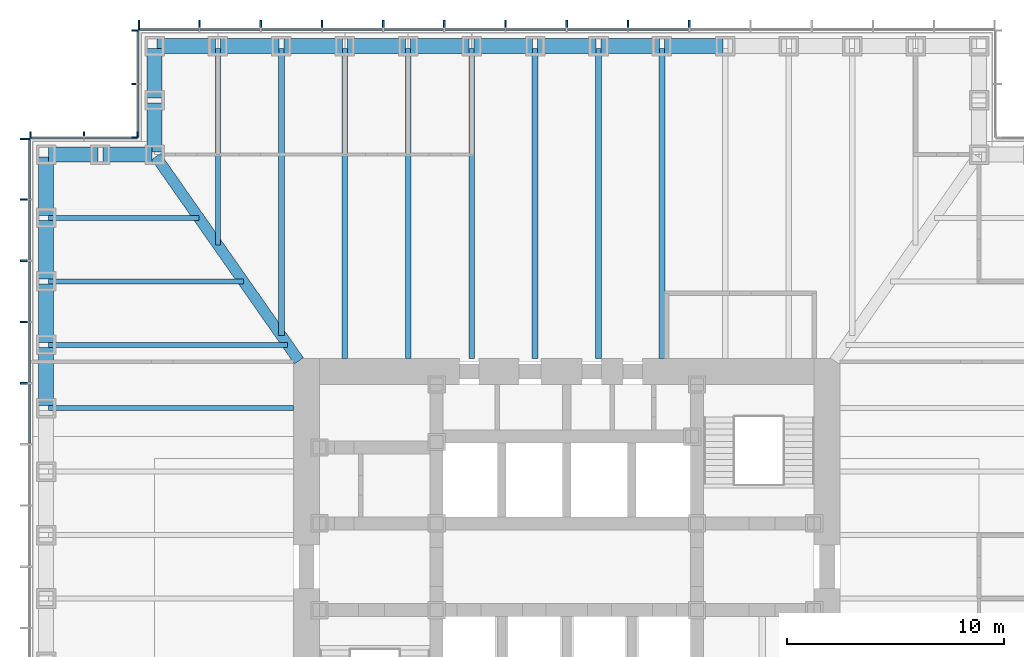
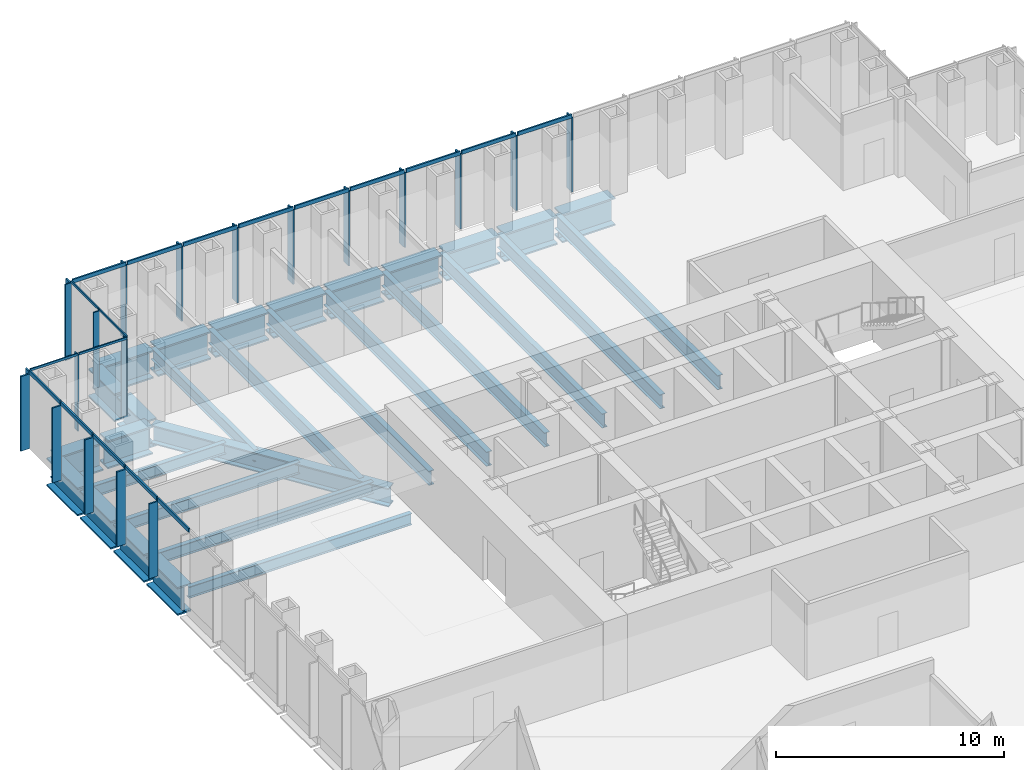
# One storey, part 5 of 16: 39 members, 30 beams, 4 elements without a shape of their own.
"""IFC4 building model written with IfcOpenShell, lengths in metres."""

from ifc_helpers import new_model, si_unit, direction, frame, origin, origin_2d, place, context, subcontext, project, spatial, rectangle, i_section, extrude, material, material_profile, profile_set, type_object, element, aggregate, save


model = new_model("IFC4")

# Units and contexts
model_context = context("Model", 3, precision=1e-05, world=origin(), true_north=direction((0.0, 1.0)))
body_context = subcontext(model_context, "Body", "Model", "MODEL_VIEW")
ifc_project = project(units=[si_unit("LENGTHUNIT", "METRE"), si_unit("AREAUNIT", "SQUARE_METRE"), si_unit("VOLUMEUNIT", "CUBIC_METRE"), si_unit("PLANEANGLEUNIT", "RADIAN"), si_unit("MASSUNIT", "GRAM", prefix="KILO")], contexts=[model_context])

# Site, building, storey
site_placement = place(None, origin())
site = spatial("IfcSite", under=ifc_project, at=site_placement, CompositionType="ELEMENT")
building_placement = place(site_placement, origin())
building = spatial("IfcBuilding", under=site, at=building_placement, Name="Daluyong Arena Tower", CompositionType="ELEMENT")
storey_placement = place(building_placement, frame((0.0, 0.0, 64.300048828125)))
storey = spatial("IfcBuildingStorey", under=building, at=storey_placement, Name="L13", CompositionType="ELEMENT", Elevation=64.300048828125)

# Curtain wall, members
ifc_material_1 = material(Name="Bronze anodised aluminium and glass", Category="aluminium")
curtain_wall_type_1 = type_object("IfcCurtainWallType", Name="Curtain wall CW1", PredefinedType="USERDEFINED", material=ifc_material_1)
curtain_wall_1_placement = place(storey_placement, origin())
curtain_wall_1 = element("IfcCurtainWall", 1, at=curtain_wall_1_placement, inside=storey, type_object=curtain_wall_type_1, Name="curtain wall L13 N", ObjectType="UNITISED CURTAIN WALL", PredefinedType="USERDEFINED")
ifc_material_2 = material(Name="Bronze anodised aluminium fin", Category="aluminium")
ifc_material_profile_1 = material_profile(ifc_material_2, rectangle(XDim=0.449951171875, YDim=0.080078125, at=origin_2d()))
ifc_profile_set_1 = profile_set([ifc_material_profile_1], Name="Bronze anodised aluminium fin")
member_type_1 = type_object("IfcMemberType", Name="CW1 bronze fin 450x80", PredefinedType="MULLION", material=ifc_profile_set_1)
member_1_placement = place(storey_placement, frame((61.642822265625, 104.97509765625, 0.0), z_axis=(0.0, 0.0, 1.0), x_axis=(0.0, -1.0, 0.0)))
member_1 = element("IfcMember", 2, at=member_1_placement, type_object=member_type_1, Name="curtain wall L13 N fin 6", PredefinedType="MULLION", context=body_context, shape_type="SweptSolid", body=[
    extrude(rectangle(XDim=0.449951171875, YDim=0.080078125, at=origin_2d()), origin(), (0.0, 0.0, 1.0), 4.0),
])
member_2_placement = place(storey_placement, frame((58.821533203125, 104.97509765625, 0.0), z_axis=(0.0, 0.0, 1.0), x_axis=(0.0, -1.0, 0.0)))
member_2 = element("IfcMember", 3, at=member_2_placement, type_object=member_type_1, Name="curtain wall L13 N fin 7", PredefinedType="MULLION", context=body_context, shape_type="SweptSolid", body=[
    extrude(rectangle(XDim=0.449951171875, YDim=0.080078125, at=origin_2d()), origin(), (0.0, 0.0, 1.0), 4.0),
])
member_3_placement = place(storey_placement, frame((56.0, 104.97509765625, 0.0), z_axis=(0.0, 0.0, 1.0), x_axis=(0.0, -1.0, 0.0)))
member_3 = element("IfcMember", 4, at=member_3_placement, type_object=member_type_1, Name="curtain wall L13 N fin 8", PredefinedType="MULLION", context=body_context, shape_type="SweptSolid", body=[
    extrude(rectangle(XDim=0.449951171875, YDim=0.080078125, at=origin_2d()), origin(), (0.0, 0.0, 1.0), 4.0),
])
member_4_placement = place(storey_placement, frame((53.178466796875, 104.97509765625, 0.0), z_axis=(0.0, 0.0, 1.0), x_axis=(0.0, -1.0, 0.0)))
member_4 = element("IfcMember", 5, at=member_4_placement, type_object=member_type_1, Name="curtain wall L13 N fin 9", PredefinedType="MULLION", context=body_context, shape_type="SweptSolid", body=[
    extrude(rectangle(XDim=0.449951171875, YDim=0.080078125, at=origin_2d()), origin(), (0.0, 0.0, 1.0), 4.0),
])
member_5_placement = place(storey_placement, frame((50.357177734375, 104.97509765625, 0.0), z_axis=(0.0, 0.0, 1.0), x_axis=(0.0, -1.0, 0.0)))
member_5 = element("IfcMember", 6, at=member_5_placement, type_object=member_type_1, Name="curtain wall L13 N fin 10", PredefinedType="MULLION", context=body_context, shape_type="SweptSolid", body=[
    extrude(rectangle(XDim=0.449951171875, YDim=0.080078125, at=origin_2d()), origin(), (0.0, 0.0, 1.0), 4.0),
])
member_6_placement = place(storey_placement, frame((47.53564453125, 104.97509765625, 0.0), z_axis=(0.0, 0.0, 1.0), x_axis=(0.0, -1.0, 0.0)))
member_6 = element("IfcMember", 7, at=member_6_placement, type_object=member_type_1, Name="curtain wall L13 N fin 11", PredefinedType="MULLION", context=body_context, shape_type="SweptSolid", body=[
    extrude(rectangle(XDim=0.449951171875, YDim=0.080078125, at=origin_2d()), origin(), (0.0, 0.0, 1.0), 4.0),
])
member_7_placement = place(storey_placement, frame((44.71435546875, 104.97509765625, 0.0), z_axis=(0.0, 0.0, 1.0), x_axis=(0.0, -1.0, 0.0)))
member_7 = element("IfcMember", 8, at=member_7_placement, type_object=member_type_1, Name="curtain wall L13 N fin 12", PredefinedType="MULLION", context=body_context, shape_type="SweptSolid", body=[
    extrude(rectangle(XDim=0.449951171875, YDim=0.080078125, at=origin_2d()), origin(), (0.0, 0.0, 1.0), 4.0),
])
member_8_placement = place(storey_placement, frame((41.892822265625, 104.97509765625, 0.0), z_axis=(0.0, 0.0, 1.0), x_axis=(0.0, -1.0, 0.0)))
member_8 = element("IfcMember", 9, at=member_8_placement, type_object=member_type_1, Name="curtain wall L13 N fin 13", PredefinedType="MULLION", context=body_context, shape_type="SweptSolid", body=[
    extrude(rectangle(XDim=0.449951171875, YDim=0.080078125, at=origin_2d()), origin(), (0.0, 0.0, 1.0), 4.0),
])
member_9_placement = place(storey_placement, frame((39.071533203125, 104.97509765625, 0.0), z_axis=(0.0, 0.0, 1.0), x_axis=(0.0, -1.0, 0.0)))
member_9 = element("IfcMember", 10, at=member_9_placement, type_object=member_type_1, Name="curtain wall L13 N fin 14", PredefinedType="MULLION", context=body_context, shape_type="SweptSolid", body=[
    extrude(rectangle(XDim=0.449951171875, YDim=0.080078125, at=origin_2d()), origin(), (0.0, 0.0, 1.0), 4.0),
])
member_10_placement = place(storey_placement, frame((36.2900390625, 104.97509765625, 0.0), z_axis=(0.0, 0.0, 1.0), x_axis=(0.0, -1.0, 0.0)))
member_10 = element("IfcMember", 11, at=member_10_placement, type_object=member_type_1, Name="curtain wall L13 N fin 15", PredefinedType="MULLION", context=body_context, shape_type="SweptSolid", body=[
    extrude(rectangle(XDim=0.449951171875, YDim=0.080078125, at=origin_2d()), origin(), (0.0, 0.0, 1.0), 4.0),
])

curtain_wall_2_placement = place(storey_placement, origin())
curtain_wall_2 = element("IfcCurtainWall", 12, at=curtain_wall_2_placement, inside=storey, type_object=curtain_wall_type_1, Name="curtain wall L13 W", ObjectType="UNITISED CURTAIN WALL", PredefinedType="USERDEFINED")
member_11_placement = place(storey_placement, frame((31.02490234375, 99.7099609375, 0.0), z_axis=(0.0, 0.0, 1.0), x_axis=(1.0, 0.0, 0.0)))
member_11 = element("IfcMember", 13, at=member_11_placement, type_object=member_type_1, Name="curtain wall L13 W fin 1", PredefinedType="MULLION", context=body_context, shape_type="SweptSolid", body=[
    extrude(rectangle(XDim=0.449951171875, YDim=0.080078125, at=origin_2d()), origin(), (0.0, 0.0, 1.0), 4.0),
])
member_12_placement = place(storey_placement, frame((31.02490234375, 96.928466796875, 0.0), z_axis=(0.0, 0.0, 1.0), x_axis=(1.0, 0.0, 0.0)))
member_12 = element("IfcMember", 14, at=member_12_placement, type_object=member_type_1, Name="curtain wall L13 W fin 2", PredefinedType="MULLION", context=body_context, shape_type="SweptSolid", body=[
    extrude(rectangle(XDim=0.449951171875, YDim=0.080078125, at=origin_2d()), origin(), (0.0, 0.0, 1.0), 4.0),
])
member_13_placement = place(storey_placement, frame((31.02490234375, 94.107177734375, 0.0), z_axis=(0.0, 0.0, 1.0), x_axis=(1.0, 0.0, 0.0)))
member_13 = element("IfcMember", 15, at=member_13_placement, type_object=member_type_1, Name="curtain wall L13 W fin 3", PredefinedType="MULLION", context=body_context, shape_type="SweptSolid", body=[
    extrude(rectangle(XDim=0.449951171875, YDim=0.080078125, at=origin_2d()), origin(), (0.0, 0.0, 1.0), 4.0),
])
member_14_placement = place(storey_placement, frame((31.02490234375, 91.28564453125, 0.0), z_axis=(0.0, 0.0, 1.0), x_axis=(1.0, 0.0, 0.0)))
member_14 = element("IfcMember", 16, at=member_14_placement, type_object=member_type_1, Name="curtain wall L13 W fin 4", PredefinedType="MULLION", context=body_context, shape_type="SweptSolid", body=[
    extrude(rectangle(XDim=0.449951171875, YDim=0.080078125, at=origin_2d()), origin(), (0.0, 0.0, 1.0), 4.0),
])
member_15_placement = place(storey_placement, frame((31.02490234375, 88.46435546875, 0.0), z_axis=(0.0, 0.0, 1.0), x_axis=(1.0, 0.0, 0.0)))
member_15 = element("IfcMember", 17, at=member_15_placement, type_object=member_type_1, Name="curtain wall L13 W fin 5", PredefinedType="MULLION", context=body_context, shape_type="SweptSolid", body=[
    extrude(rectangle(XDim=0.449951171875, YDim=0.080078125, at=origin_2d()), origin(), (0.0, 0.0, 1.0), 4.0),
])

# Member
ifc_material_3 = material(Name="Bronze anodised aluminium", Category="aluminium")
ifc_material_profile_2 = material_profile(ifc_material_3, rectangle(XDim=0.080078125, YDim=0.199951171875, at=origin_2d()))
ifc_profile_set_2 = profile_set([ifc_material_profile_2], Name="Bronze anodised aluminium")
member_type_2 = type_object("IfcMemberType", Name="CW1 stack transom 200x80", PredefinedType="USERDEFINED", material=ifc_profile_set_2)
member_16_placement = place(storey_placement, frame((61.602783203125, 104.75, 4.099853515625), z_axis=(-1.0, 0.0, 0.0), x_axis=(0.0, -1.0, 0.0)))
member_16 = element("IfcMember", 18, at=member_16_placement, type_object=member_type_2, Name="curtain wall L13 N transom 6", ObjectType="TRANSOM", PredefinedType="USERDEFINED", context=body_context, shape_type="SweptSolid", body=[
    extrude(rectangle(XDim=0.080078125, YDim=0.199951171875, at=origin_2d()), origin(), (0.0, 0.0, 1.0), 2.741455078125),
])

member_17_placement = place(storey_placement, frame((58.781494140625, 104.75, 4.099853515625), z_axis=(-1.0, 0.0, 0.0), x_axis=(0.0, -1.0, 0.0)))
member_17 = element("IfcMember", 19, at=member_17_placement, type_object=member_type_2, Name="curtain wall L13 N transom 7", ObjectType="TRANSOM", PredefinedType="USERDEFINED", context=body_context, shape_type="SweptSolid", body=[
    extrude(rectangle(XDim=0.080078125, YDim=0.199951171875, at=origin_2d()), origin(), (0.0, 0.0, 1.0), 2.741455078125),
])

member_18_placement = place(storey_placement, frame((55.9599609375, 104.75, 4.099853515625), z_axis=(-1.0, 0.0, 0.0), x_axis=(0.0, -1.0, 0.0)))
member_18 = element("IfcMember", 20, at=member_18_placement, type_object=member_type_2, Name="curtain wall L13 N transom 8", ObjectType="TRANSOM", PredefinedType="USERDEFINED", context=body_context, shape_type="SweptSolid", body=[
    extrude(rectangle(XDim=0.080078125, YDim=0.199951171875, at=origin_2d()), origin(), (0.0, 0.0, 1.0), 2.741455078125),
])

member_19_placement = place(storey_placement, frame((53.138671875, 104.75, 4.099853515625), z_axis=(-1.0, 0.0, 0.0), x_axis=(0.0, -1.0, 0.0)))
member_19 = element("IfcMember", 21, at=member_19_placement, type_object=member_type_2, Name="curtain wall L13 N transom 9", ObjectType="TRANSOM", PredefinedType="USERDEFINED", context=body_context, shape_type="SweptSolid", body=[
    extrude(rectangle(XDim=0.080078125, YDim=0.199951171875, at=origin_2d()), origin(), (0.0, 0.0, 1.0), 2.741455078125),
])

member_20_placement = place(storey_placement, frame((50.317138671875, 104.75, 4.099853515625), z_axis=(-1.0, 0.0, 0.0), x_axis=(0.0, -1.0, 0.0)))
member_20 = element("IfcMember", 22, at=member_20_placement, type_object=member_type_2, Name="curtain wall L13 N transom 10", ObjectType="TRANSOM", PredefinedType="USERDEFINED", context=body_context, shape_type="SweptSolid", body=[
    extrude(rectangle(XDim=0.080078125, YDim=0.199951171875, at=origin_2d()), origin(), (0.0, 0.0, 1.0), 2.741455078125),
])

member_21_placement = place(storey_placement, frame((47.49560546875, 104.75, 4.099853515625), z_axis=(-1.0, 0.0, 0.0), x_axis=(0.0, -1.0, 0.0)))
member_21 = element("IfcMember", 23, at=member_21_placement, type_object=member_type_2, Name="curtain wall L13 N transom 11", ObjectType="TRANSOM", PredefinedType="USERDEFINED", context=body_context, shape_type="SweptSolid", body=[
    extrude(rectangle(XDim=0.080078125, YDim=0.199951171875, at=origin_2d()), origin(), (0.0, 0.0, 1.0), 2.7412109375),
])

member_22_placement = place(storey_placement, frame((44.67431640625, 104.75, 4.099853515625), z_axis=(-1.0, 0.0, 0.0), x_axis=(0.0, -1.0, 0.0)))
member_22 = element("IfcMember", 24, at=member_22_placement, type_object=member_type_2, Name="curtain wall L13 N transom 12", ObjectType="TRANSOM", PredefinedType="USERDEFINED", context=body_context, shape_type="SweptSolid", body=[
    extrude(rectangle(XDim=0.080078125, YDim=0.199951171875, at=origin_2d()), origin(), (0.0, 0.0, 1.0), 2.741455078125),
])

member_23_placement = place(storey_placement, frame((41.852783203125, 104.75, 4.099853515625), z_axis=(-1.0, 0.0, 0.0), x_axis=(0.0, -1.0, 0.0)))
member_23 = element("IfcMember", 25, at=member_23_placement, type_object=member_type_2, Name="curtain wall L13 N transom 13", ObjectType="TRANSOM", PredefinedType="USERDEFINED", context=body_context, shape_type="SweptSolid", body=[
    extrude(rectangle(XDim=0.080078125, YDim=0.199951171875, at=origin_2d()), origin(), (0.0, 0.0, 1.0), 2.741455078125),
])

member_24_placement = place(storey_placement, frame((39.031494140625, 104.75, 4.099853515625), z_axis=(-1.0, 0.0, 0.0), x_axis=(0.0, -1.0, 0.0)))
member_24 = element("IfcMember", 26, at=member_24_placement, type_object=member_type_2, Name="curtain wall L13 N transom 14", ObjectType="TRANSOM", PredefinedType="USERDEFINED", context=body_context, shape_type="SweptSolid", body=[
    extrude(rectangle(XDim=0.080078125, YDim=0.199951171875, at=origin_2d()), origin(), (0.0, 0.0, 1.0), 2.701416015625),
])

aggregate(curtain_wall_1, [member_1, member_2, member_3, member_4, member_5, member_6, member_7, member_8, member_9, member_10, member_16, member_17, member_18, member_19, member_20, member_21, member_22, member_23, member_24])

member_25_placement = place(storey_placement, frame((31.25, 99.669921875, 4.099853515625), z_axis=(0.0, -1.0, 0.0), x_axis=(1.0, 0.0, 0.0)))
member_25 = element("IfcMember", 27, at=member_25_placement, type_object=member_type_2, Name="curtain wall L13 W transom 1", ObjectType="TRANSOM", PredefinedType="USERDEFINED", context=body_context, shape_type="SweptSolid", body=[
    extrude(rectangle(XDim=0.080078125, YDim=0.199951171875, at=origin_2d()), origin(), (0.0, 0.0, 1.0), 2.701416015625),
])

member_26_placement = place(storey_placement, frame((31.25, 96.888671875, 4.099853515625), z_axis=(0.0, -1.0, 0.0), x_axis=(1.0, 0.0, 0.0)))
member_26 = element("IfcMember", 28, at=member_26_placement, type_object=member_type_2, Name="curtain wall L13 W transom 2", ObjectType="TRANSOM", PredefinedType="USERDEFINED", context=body_context, shape_type="SweptSolid", body=[
    extrude(rectangle(XDim=0.080078125, YDim=0.199951171875, at=origin_2d()), origin(), (0.0, 0.0, 1.0), 2.741455078125),
])

member_27_placement = place(storey_placement, frame((31.25, 94.067138671875, 4.099853515625), z_axis=(0.0, -1.0, 0.0), x_axis=(1.0, 0.0, 0.0)))
member_27 = element("IfcMember", 29, at=member_27_placement, type_object=member_type_2, Name="curtain wall L13 W transom 3", ObjectType="TRANSOM", PredefinedType="USERDEFINED", context=body_context, shape_type="SweptSolid", body=[
    extrude(rectangle(XDim=0.080078125, YDim=0.199951171875, at=origin_2d()), origin(), (0.0, 0.0, 1.0), 2.741455078125),
])

member_28_placement = place(storey_placement, frame((31.25, 91.24560546875, 4.099853515625), z_axis=(0.0, -1.0, 0.0), x_axis=(1.0, 0.0, 0.0)))
member_28 = element("IfcMember", 30, at=member_28_placement, type_object=member_type_2, Name="curtain wall L13 W transom 4", ObjectType="TRANSOM", PredefinedType="USERDEFINED", context=body_context, shape_type="SweptSolid", body=[
    extrude(rectangle(XDim=0.080078125, YDim=0.199951171875, at=origin_2d()), origin(), (0.0, 0.0, 1.0), 2.7412109375),
])

member_29_placement = place(storey_placement, frame((31.25, 88.42431640625, 4.099853515625), z_axis=(0.0, -1.0, 0.0), x_axis=(1.0, 0.0, 0.0)))
member_29 = element("IfcMember", 31, at=member_29_placement, type_object=member_type_2, Name="curtain wall L13 W transom 5", ObjectType="TRANSOM", PredefinedType="USERDEFINED", context=body_context, shape_type="SweptSolid", body=[
    extrude(rectangle(XDim=0.080078125, YDim=0.199951171875, at=origin_2d()), origin(), (0.0, 0.0, 1.0), 2.741455078125),
])

aggregate(curtain_wall_2, [member_11, member_12, member_13, member_14, member_15, member_25, member_26, member_27, member_28, member_29])

# Curtain wall, members
ifc_material_4 = material(Name="Bronze anodised aluminium and glass", Category="aluminium")
curtain_wall_type_2 = type_object("IfcCurtainWallType", Name="Curtain wall CW7", PredefinedType="USERDEFINED", material=ifc_material_4)
curtain_wall_3_placement = place(storey_placement, origin())
curtain_wall_3 = element("IfcCurtainWall", 32, at=curtain_wall_3_placement, inside=storey, type_object=curtain_wall_type_2, Name="curtain wall L13 NW-W", ObjectType="UNITISED CURTAIN WALL", PredefinedType="USERDEFINED")
ifc_material_5 = material(Name="Bronze anodised aluminium fin", Category="aluminium")
ifc_material_profile_3 = material_profile(ifc_material_5, rectangle(XDim=0.300048828125, YDim=0.06005859375, at=origin_2d()))
ifc_profile_set_3 = profile_set([ifc_material_profile_3], Name="Bronze anodised aluminium fin")
member_type_3 = type_object("IfcMemberType", Name="CW7 bronze fin 300x60", PredefinedType="MULLION", material=ifc_profile_set_3)
member_30_placement = place(storey_placement, frame((36.10009765625, 104.719970703125, 0.0), z_axis=(0.0, 0.0, 1.0), x_axis=(1.0, 0.0, 0.0)))
member_30 = element("IfcMember", 33, at=member_30_placement, type_object=member_type_3, Name="curtain wall L13 NW-W fin 1", PredefinedType="MULLION", context=body_context, shape_type="SweptSolid", body=[
    extrude(rectangle(XDim=0.300048828125, YDim=0.06005859375, at=origin_2d()), origin(), (0.0, 0.0, 1.0), 4.079833984375),
])
member_31_placement = place(storey_placement, frame((36.10009765625, 102.25, 0.0), z_axis=(0.0, 0.0, 1.0), x_axis=(1.0, 0.0, 0.0)))
member_31 = element("IfcMember", 34, at=member_31_placement, type_object=member_type_3, Name="curtain wall L13 NW-W fin 2", PredefinedType="MULLION", context=body_context, shape_type="SweptSolid", body=[
    extrude(rectangle(XDim=0.300048828125, YDim=0.06005859375, at=origin_2d()), origin(), (0.0, 0.0, 1.0), 4.079833984375),
])
member_32_placement = place(storey_placement, frame((36.10009765625, 99.780029296875, 0.0), z_axis=(0.0, 0.0, 1.0), x_axis=(1.0, 0.0, 0.0)))
member_32 = element("IfcMember", 35, at=member_32_placement, type_object=member_type_3, Name="curtain wall L13 NW-W fin 3", PredefinedType="MULLION", context=body_context, shape_type="SweptSolid", body=[
    extrude(rectangle(XDim=0.300048828125, YDim=0.06005859375, at=origin_2d()), origin(), (0.0, 0.0, 1.0), 4.079833984375),
])

curtain_wall_4_placement = place(storey_placement, origin())
curtain_wall_4 = element("IfcCurtainWall", 36, at=curtain_wall_4_placement, inside=storey, type_object=curtain_wall_type_2, Name="curtain wall L13 NW-N", ObjectType="UNITISED CURTAIN WALL", PredefinedType="USERDEFINED")
member_33_placement = place(storey_placement, frame((36.219970703125, 99.89990234375, 0.0), z_axis=(0.0, 0.0, 1.0), x_axis=(0.0, -1.0, 0.0)))
member_33 = element("IfcMember", 37, at=member_33_placement, type_object=member_type_3, Name="curtain wall L13 NW-N fin 1", PredefinedType="MULLION", context=body_context, shape_type="SweptSolid", body=[
    extrude(rectangle(XDim=0.300048828125, YDim=0.06005859375, at=origin_2d()), origin(), (0.0, 0.0, 1.0), 4.079833984375),
])
member_34_placement = place(storey_placement, frame((33.75, 99.89990234375, 0.0), z_axis=(0.0, 0.0, 1.0), x_axis=(0.0, -1.0, 0.0)))
member_34 = element("IfcMember", 38, at=member_34_placement, type_object=member_type_3, Name="curtain wall L13 NW-N fin 2", PredefinedType="MULLION", context=body_context, shape_type="SweptSolid", body=[
    extrude(rectangle(XDim=0.300048828125, YDim=0.06005859375, at=origin_2d()), origin(), (0.0, 0.0, 1.0), 4.079833984375),
])
member_35_placement = place(storey_placement, frame((31.280029296875, 99.89990234375, 0.0), z_axis=(0.0, 0.0, 1.0), x_axis=(0.0, -1.0, 0.0)))
member_35 = element("IfcMember", 39, at=member_35_placement, type_object=member_type_3, Name="curtain wall L13 NW-N fin 3", PredefinedType="MULLION", context=body_context, shape_type="SweptSolid", body=[
    extrude(rectangle(XDim=0.300048828125, YDim=0.06005859375, at=origin_2d()), origin(), (0.0, 0.0, 1.0), 4.079833984375),
])

# Member
ifc_material_6 = material(Name="Bronze anodised aluminium", Category="aluminium")
ifc_material_profile_4 = material_profile(ifc_material_6, rectangle(XDim=0.06005859375, YDim=0.1201171875, at=origin_2d()))
ifc_profile_set_4 = profile_set([ifc_material_profile_4], Name="Bronze anodised aluminium")
member_type_4 = type_object("IfcMemberType", Name="CW7 stack transom 120x60", PredefinedType="USERDEFINED", material=ifc_profile_set_4)
member_36_placement = place(storey_placement, frame((36.25, 104.68994140625, 4.139892578125), z_axis=(0.0, -1.0, 0.0), x_axis=(1.0, 0.0, 0.0)))
member_36 = element("IfcMember", 40, at=member_36_placement, type_object=member_type_4, Name="curtain wall L13 NW-W transom 1", ObjectType="TRANSOM", PredefinedType="USERDEFINED", context=body_context, shape_type="SweptSolid", body=[
    extrude(rectangle(XDim=0.06005859375, YDim=0.1201171875, at=origin_2d()), origin(), (0.0, 0.0, 1.0), 2.409912109375),
])

member_37_placement = place(storey_placement, frame((36.25, 102.219970703125, 4.139892578125), z_axis=(0.0, -1.0, 0.0), x_axis=(1.0, 0.0, 0.0)))
member_37 = element("IfcMember", 41, at=member_37_placement, type_object=member_type_4, Name="curtain wall L13 NW-W transom 2", ObjectType="TRANSOM", PredefinedType="USERDEFINED", context=body_context, shape_type="SweptSolid", body=[
    extrude(rectangle(XDim=0.06005859375, YDim=0.1201171875, at=origin_2d()), origin(), (0.0, 0.0, 1.0), 2.409912109375),
])

aggregate(curtain_wall_3, [member_30, member_31, member_32, member_36, member_37])

member_38_placement = place(storey_placement, frame((36.18994140625, 99.75, 4.139892578125), z_axis=(-1.0, 0.0, 0.0), x_axis=(0.0, -1.0, 0.0)))
member_38 = element("IfcMember", 42, at=member_38_placement, type_object=member_type_4, Name="curtain wall L13 NW-N transom 1", ObjectType="TRANSOM", PredefinedType="USERDEFINED", context=body_context, shape_type="SweptSolid", body=[
    extrude(rectangle(XDim=0.06005859375, YDim=0.1201171875, at=origin_2d()), origin(), (0.0, 0.0, 1.0), 2.409912109375),
])

member_39_placement = place(storey_placement, frame((33.719970703125, 99.75, 4.139892578125), z_axis=(-1.0, 0.0, 0.0), x_axis=(0.0, -1.0, 0.0)))
member_39 = element("IfcMember", 43, at=member_39_placement, type_object=member_type_4, Name="curtain wall L13 NW-N transom 2", ObjectType="TRANSOM", PredefinedType="USERDEFINED", context=body_context, shape_type="SweptSolid", body=[
    extrude(rectangle(XDim=0.06005859375, YDim=0.1201171875, at=origin_2d()), origin(), (0.0, 0.0, 1.0), 2.409912109375),
])

aggregate(curtain_wall_4, [member_33, member_34, member_35, member_38, member_39])

# Beams
ifc_material_7 = material(Name="Steel ASTM A572 Grade 50", Category="steel")
ifc_material_profile_5 = material_profile(ifc_material_7, i_section(OverallWidth=0.5, OverallDepth=1.0, WebThickness=0.03, FlangeThickness=0.06, at=origin_2d()))
ifc_profile_set_5 = profile_set([ifc_material_profile_5], Name="Steel ASTM A572 Grade 50")
beam_type_1 = type_object("IfcBeamType", Name="Corner girder TB1000X500", PredefinedType="BEAM", material=ifc_profile_set_5)
beam_1_placement = place(storey_placement, frame((37.06591796875, 98.90576171875, -0.66015625), z_axis=(0.573466621875, -0.819228926244, 0.0), x_axis=(0.819228926244, 0.573466621875, 0.0)))
element("IfcBeam", 44, at=beam_1_placement, inside=storey, type_object=beam_type_1, Name="corner girder DG2", PredefinedType="BEAM", context=body_context, shape_type="SweptSolid", body=[
    extrude(i_section(OverallWidth=0.5, OverallDepth=1.0, WebThickness=0.03, FlangeThickness=0.06, at=origin_2d()), origin(), (0.0, 0.0, 1.0), 11.49169921875),
])
ifc_material_8 = material(Name="Steel ASTM A992 Grade 50", Category="steel")
ifc_material_profile_6 = material_profile(ifc_material_8, i_section(OverallWidth=0.22900390625, OverallDepth=0.612060546875, WebThickness=0.011962890625, FlangeThickness=0.01953125, at=origin_2d()))
ifc_profile_set_6 = profile_set([ifc_material_profile_6], Name="Steel ASTM A992 Grade 50")
beam_type_2 = type_object("IfcBeamType", Name="Floor beam W24X84", PredefinedType="BEAM", material=ifc_profile_set_6)
beam_2_placement = place(storey_placement, frame((39.923095703125, 103.885009765625, -0.466064453125), z_axis=(0.0, -1.0, 0.0), x_axis=(1.0, 0.0, 0.0)))
element("IfcBeam", 45, at=beam_2_placement, inside=storey, type_object=beam_type_2, Name="floor beam FB3", PredefinedType="BEAM", context=body_context, shape_type="SweptSolid", body=[
    extrude(i_section(OverallWidth=0.22900390625, OverallDepth=0.612060546875, WebThickness=0.011962890625, FlangeThickness=0.01953125, at=origin_2d()), origin(), (0.0, 0.0, 1.0), 9.060791015625),
])
beam_3_placement = place(storey_placement, frame((32.114990234375, 96.076904296875, -0.466064453125), z_axis=(1.0, 0.0, 0.0), x_axis=(0.0, 1.0, 0.0)))
element("IfcBeam", 46, at=beam_3_placement, inside=storey, type_object=beam_type_2, Name="floor beam FB3", PredefinedType="BEAM", context=body_context, shape_type="SweptSolid", body=[
    extrude(i_section(OverallWidth=0.22900390625, OverallDepth=0.612060546875, WebThickness=0.011962890625, FlangeThickness=0.01953125, at=origin_2d()), origin(), (0.0, 0.0, 1.0), 6.93115234375),
])
beam_4_placement = place(storey_placement, frame((32.114990234375, 93.15380859375, -0.466064453125), z_axis=(1.0, 0.0, 0.0), x_axis=(0.0, 1.0, 0.0)))
element("IfcBeam", 47, at=beam_4_placement, inside=storey, type_object=beam_type_2, Name="floor beam FB3", PredefinedType="BEAM", context=body_context, shape_type="SweptSolid", body=[
    extrude(i_section(OverallWidth=0.22900390625, OverallDepth=0.612060546875, WebThickness=0.011962890625, FlangeThickness=0.01953125, at=origin_2d()), origin(), (0.0, 0.0, 1.0), 8.977294921875),
])
beam_5_placement = place(storey_placement, frame((32.114990234375, 90.230712890625, -0.466064453125), z_axis=(1.0, 0.0, 0.0), x_axis=(0.0, 1.0, 0.0)))
element("IfcBeam", 48, at=beam_5_placement, inside=storey, type_object=beam_type_2, Name="floor beam FB3", PredefinedType="BEAM", context=body_context, shape_type="SweptSolid", body=[
    extrude(i_section(OverallWidth=0.22900390625, OverallDepth=0.612060546875, WebThickness=0.011962890625, FlangeThickness=0.01953125, at=origin_2d()), origin(), (0.0, 0.0, 1.0), 11.0234375),
])
beam_6_placement = place(storey_placement, frame((32.114990234375, 87.3076171875, -0.466064453125), z_axis=(1.0, 0.0, 0.0), x_axis=(0.0, 1.0, 0.0)))
element("IfcBeam", 49, at=beam_6_placement, inside=storey, type_object=beam_type_2, Name="floor beam FB3", PredefinedType="BEAM", context=body_context, shape_type="SweptSolid", body=[
    extrude(i_section(OverallWidth=0.22900390625, OverallDepth=0.612060546875, WebThickness=0.011962890625, FlangeThickness=0.01953125, at=origin_2d()), origin(), (0.0, 0.0, 1.0), 11.284912109375),
])
ifc_material_9 = material(Name="Steel ASTM A992 Grade 50", Category="steel")
ifc_material_profile_7 = material_profile(ifc_material_9, i_section(OverallWidth=0.2666015625, OverallDepth=0.761962890625, WebThickness=0.014404296875, FlangeThickness=0.021484375, at=origin_2d()))
ifc_profile_set_7 = profile_set([ifc_material_profile_7], Name="Steel ASTM A992 Grade 50")
beam_type_3 = type_object("IfcBeamType", Name="Floor beam W30X116", PredefinedType="BEAM", material=ifc_profile_set_7)
for number, where, z_axis, x_axis, name in (
    (50, (60.384521484375, 103.885009765625, -0.541015625), (0.0, -1.0, 0.0), (1.0, 0.0, 0.0), "floor beam FB4"),
    (51, (57.46142578125, 103.885009765625, -0.541015625), (0.0, -1.0, 0.0), (1.0, 0.0, 0.0), "floor beam FB4"),
    (52, (54.53857421875, 103.885009765625, -0.541015625), (0.0, -1.0, 0.0), (1.0, 0.0, 0.0), "floor beam FB4"),
    (53, (51.615478515625, 103.885009765625, -0.541015625), (0.0, -1.0, 0.0), (1.0, 0.0, 0.0), "floor beam FB4"),
    (54, (48.6923828125, 103.885009765625, -0.541015625), (0.0, -1.0, 0.0), (1.0, 0.0, 0.0), "floor beam FB4"),
    (55, (45.769287109375, 103.885009765625, -0.541015625), (0.0, -1.0, 0.0), (1.0, 0.0, 0.0), "floor beam FB4"),
):
    element("IfcBeam", number, at=place(storey_placement, frame(where, z_axis=z_axis, x_axis=x_axis)), inside=storey, type_object=beam_type_3, Name=name, PredefinedType="BEAM", context=body_context, shape_type="SweptSolid", body=[
        extrude(i_section(OverallWidth=0.2666015625, OverallDepth=0.761962890625, WebThickness=0.014404296875, FlangeThickness=0.021484375, at=origin_2d()), origin(), (0.0, 0.0, 1.0), 14.284912109375),
    ])
beam_7_placement = place(storey_placement, frame((42.84619140625, 103.885009765625, -0.541015625), z_axis=(0.0, -1.0, 0.0), x_axis=(1.0, 0.0, 0.0)))
element("IfcBeam", 56, at=beam_7_placement, inside=storey, type_object=beam_type_3, Name="floor beam FB4", PredefinedType="BEAM", context=body_context, shape_type="SweptSolid", body=[
    extrude(i_section(OverallWidth=0.2666015625, OverallDepth=0.761962890625, WebThickness=0.014404296875, FlangeThickness=0.021484375, at=origin_2d()), origin(), (0.0, 0.0, 1.0), 13.236572265625),
])
ifc_material_10 = material(Name="Steel ASTM A572 Grade 50", Category="steel")
ifc_material_profile_8 = material_profile(ifc_material_10, i_section(OverallWidth=0.699951171875, OverallDepth=1.5, WebThickness=0.04, FlangeThickness=0.08, at=origin_2d()))
ifc_profile_set_8 = profile_set([ifc_material_profile_8], Name="Steel ASTM A572 Grade 50")
beam_type_4 = type_object("IfcBeamType", Name="Spandrel Z1 PG1500X700", PredefinedType="SPANDREL", material=ifc_profile_set_8)
for number, where, z_axis, x_axis, name in (
    (57, (63.192626953125, 104.0, -0.91015625), (-1.0, 0.0, 0.0), (0.0, -1.0, 0.0), "spandrel z1 SB4"),
    (58, (60.26953125, 104.0, -0.91015625), (-1.0, 0.0, 0.0), (0.0, -1.0, 0.0), "spandrel z1 SB4"),
):
    element("IfcBeam", number, at=place(storey_placement, frame(where, z_axis=z_axis, x_axis=x_axis)), inside=storey, type_object=beam_type_4, Name=name, PredefinedType="SPANDREL", context=body_context, shape_type="SweptSolid", body=[
        extrude(i_section(OverallWidth=0.699951171875, OverallDepth=1.5, WebThickness=0.04, FlangeThickness=0.08, at=origin_2d()), origin(), (0.0, 0.0, 1.0), 2.693115234375),
    ])
beam_8_placement = place(storey_placement, frame((57.346435546875, 104.0, -0.91015625), z_axis=(-1.0, 0.0, 0.0), x_axis=(0.0, -1.0, 0.0)))
element("IfcBeam", 59, at=beam_8_placement, inside=storey, type_object=beam_type_4, Name="spandrel z1 SB4", PredefinedType="SPANDREL", context=body_context, shape_type="SweptSolid", body=[
    extrude(i_section(OverallWidth=0.699951171875, OverallDepth=1.5, WebThickness=0.04, FlangeThickness=0.08, at=origin_2d()), origin(), (0.0, 0.0, 1.0), 2.69287109375),
])
for number, where, z_axis, x_axis, name in (
    (60, (54.423583984375, 104.0, -0.91015625), (-1.0, 0.0, 0.0), (0.0, -1.0, 0.0), "spandrel z1 SB4"),
    (61, (51.50048828125, 104.0, -0.91015625), (-1.0, 0.0, 0.0), (0.0, -1.0, 0.0), "spandrel z1 SB4"),
    (62, (48.577392578125, 104.0, -0.91015625), (-1.0, 0.0, 0.0), (0.0, -1.0, 0.0), "spandrel z1 SB4"),
    (63, (45.654296875, 104.0, -0.91015625), (-1.0, 0.0, 0.0), (0.0, -1.0, 0.0), "spandrel z1 SB4"),
    (64, (42.731201171875, 104.0, -0.91015625), (-1.0, 0.0, 0.0), (0.0, -1.0, 0.0), "spandrel z1 SB4"),
    (65, (39.80810546875, 104.0, -0.91015625), (-1.0, 0.0, 0.0), (0.0, -1.0, 0.0), "spandrel z1 SB4"),
):
    element("IfcBeam", number, at=place(storey_placement, frame(where, z_axis=z_axis, x_axis=x_axis)), inside=storey, type_object=beam_type_4, Name=name, PredefinedType="SPANDREL", context=body_context, shape_type="SweptSolid", body=[
        extrude(i_section(OverallWidth=0.699951171875, OverallDepth=1.5, WebThickness=0.04, FlangeThickness=0.08, at=origin_2d()), origin(), (0.0, 0.0, 1.0), 2.693115234375),
    ])
for number, where, z_axis, x_axis, name in (
    (66, (37.0, 103.885009765625, -0.91015625), (0.0, -1.0, 0.0), (1.0, 0.0, 0.0), "spandrel z1 SB4"),
    (67, (37.0, 101.385009765625, -0.91015625), (0.0, -1.0, 0.0), (1.0, 0.0, 0.0), "spandrel z1 SB4"),
    (68, (36.885009765625, 99.0, -0.91015625), (-1.0, 0.0, 0.0), (0.0, -1.0, 0.0), "spandrel z1 SB4"),
    (69, (34.385009765625, 99.0, -0.91015625), (-1.0, 0.0, 0.0), (0.0, -1.0, 0.0), "spandrel z1 SB4"),
):
    element("IfcBeam", number, at=place(storey_placement, frame(where, z_axis=z_axis, x_axis=x_axis)), inside=storey, type_object=beam_type_4, Name=name, PredefinedType="SPANDREL", context=body_context, shape_type="SweptSolid", body=[
        extrude(i_section(OverallWidth=0.699951171875, OverallDepth=1.5, WebThickness=0.04, FlangeThickness=0.08, at=origin_2d()), origin(), (0.0, 0.0, 1.0), 2.27001953125),
    ])
for number, where, z_axis, x_axis, name in (
    (70, (32.0, 98.885009765625, -0.91015625), (0.0, -1.0, 0.0), (1.0, 0.0, 0.0), "spandrel z1 SB4"),
    (71, (32.0, 95.9619140625, -0.91015625), (0.0, -1.0, 0.0), (1.0, 0.0, 0.0), "spandrel z1 SB4"),
    (72, (32.0, 93.038818359375, -0.91015625), (0.0, -1.0, 0.0), (1.0, 0.0, 0.0), "spandrel z1 SB4"),
    (73, (32.0, 90.11572265625, -0.91015625), (0.0, -1.0, 0.0), (1.0, 0.0, 0.0), "spandrel z1 SB4"),
):
    element("IfcBeam", number, at=place(storey_placement, frame(where, z_axis=z_axis, x_axis=x_axis)), inside=storey, type_object=beam_type_4, Name=name, PredefinedType="SPANDREL", context=body_context, shape_type="SweptSolid", body=[
        extrude(i_section(OverallWidth=0.699951171875, OverallDepth=1.5, WebThickness=0.04, FlangeThickness=0.08, at=origin_2d()), origin(), (0.0, 0.0, 1.0), 2.693115234375),
    ])

save(model, "model.ifc")
